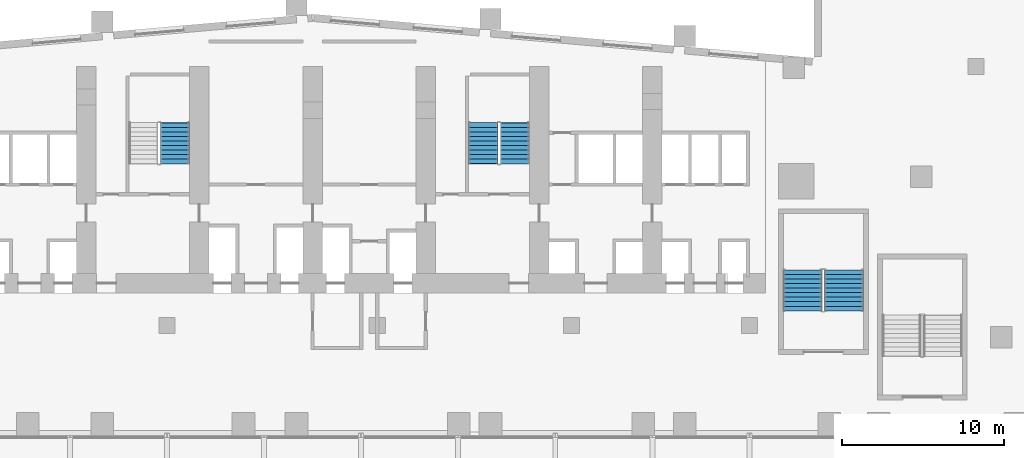
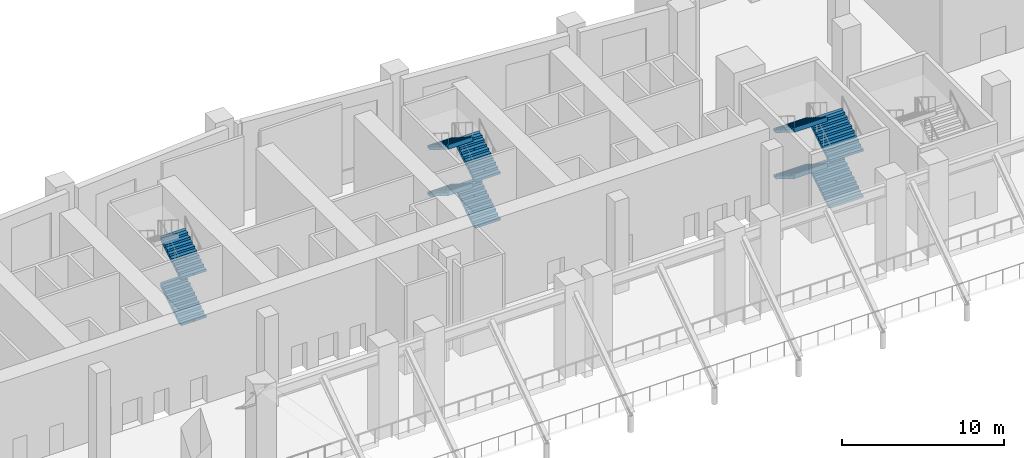
# One storey, part 30 of 41: 10 stair flights, 3 elements without a shape of their own.
"""IFC4 building model written with IfcOpenShell, lengths in metres."""

from ifc_helpers import new_model, si_unit, direction, frame, origin, place, context, subcontext, project, spatial, polyline, outline, extrude, material, type_object, element, aggregate, save


model = new_model("IFC4")

# Units and contexts
model_context = context("Model", 3, precision=1e-05, world=origin(), true_north=direction((0.0, 1.0)))
body_context = subcontext(model_context, "Body", "Model", "MODEL_VIEW")
ifc_project = project(units=[si_unit("LENGTHUNIT", "METRE"), si_unit("AREAUNIT", "SQUARE_METRE"), si_unit("VOLUMEUNIT", "CUBIC_METRE"), si_unit("PLANEANGLEUNIT", "RADIAN"), si_unit("MASSUNIT", "GRAM", prefix="KILO")], contexts=[model_context])

# Site, building, storey
site_placement = place(None, origin())
site = spatial("IfcSite", under=ifc_project, at=site_placement, CompositionType="ELEMENT")
building_placement = place(site_placement, origin())
building = spatial("IfcBuilding", under=site, at=building_placement, Name="Wharfspan Tower", CompositionType="ELEMENT")
storey_placement = place(building_placement, frame((0.0, 0.0, 8.0)))
storey = spatial("IfcBuildingStorey", under=building, at=storey_placement, Name="L01", CompositionType="ELEMENT", Elevation=8.0)

# Stair, stair flights
ifc_material = material(Name="Concrete C40/50", Category="concrete")
stair_type_1 = type_object("IfcStairType", Name="Half-turn stair 2400 wide 40 risers 175 mm", PredefinedType="HALF_TURN_STAIR", material=ifc_material)
stair_1_placement = place(storey_placement, origin())
stair_1 = element("IfcStair", 1, at=stair_1_placement, inside=storey, type_object=stair_type_1, Name="L01 stair PS4", PredefinedType="HALF_TURN_STAIR")
stair_flight_type_1 = type_object("IfcStairFlightType", Name="Stair flight 2400 wide 40 risers 175 mm", PredefinedType="STRAIGHT", material=ifc_material)
stair_flight_1_placement = place(storey_placement, frame((69.850098, 32.899902, 0.0), z_axis=(0.0, 0.0, 1.0), x_axis=(0.0, 1.0, 0.0)))
stair_flight_1 = element("IfcStairFlight", 2, at=stair_flight_1_placement, type_object=stair_flight_type_1, Name="PS4 flight 1", NumberOfRisers=10, NumberOfTreads=9, PredefinedType="STRAIGHT", RiserHeight=0.175, TreadLength=0.28, context=body_context, shape_type="SweptSolid", body=[
    extrude(outline(polyline([(-0.011963, 0.0), (-0.011963, 0.175049), (0.0, 0.175049), (0.280029, 0.175049), (0.280029, 0.350098), (0.560059, 0.350098), (0.560059, 0.524902), (0.840088, 0.524902), (0.840088, 0.699951), (1.120117, 0.699951), (1.120117, 0.875), (1.399902, 0.875), (1.399902, 1.050049), (1.679932, 1.050049), (1.679932, 1.225098), (1.959961, 1.225098), (1.959961, 1.399902), (2.23999, 1.399902), (2.23999, 1.574951), (2.52002, 1.574951), (2.531982, 1.75), (2.531982, 1.398193), (0.282715, 0.0), (-0.011963, 0.0)])), frame((0.0, 1.199951, 0.0), z_axis=(0.0, -1.0, 0.0), x_axis=(1.0, 0.0, 0.0)), (0.0, 0.0, 1.0), 1.199463),
    extrude(outline(polyline([(-0.011963, 0.0), (-0.011963, 0.175049), (0.0, 0.175049), (0.280029, 0.175049), (0.280029, 0.350098), (0.560059, 0.350098), (0.560059, 0.524902), (0.840088, 0.524902), (0.840088, 0.699951), (1.120117, 0.699951), (1.120117, 0.875), (1.399902, 0.875), (1.399902, 1.050049), (1.679932, 1.050049), (1.679932, 1.225098), (1.959961, 1.225098), (1.959961, 1.399902), (2.23999, 1.399902), (2.23999, 1.574951), (2.52002, 1.574951), (2.531982, 1.75), (2.531982, 1.398193), (0.282715, 0.0), (-0.011963, 0.0)])), frame((0.0, -0.000488, 0.0), z_axis=(0.0, -1.0, 0.0), x_axis=(1.0, 0.0, 0.0)), (0.0, 0.0, 1.0), 1.199463),
])
stair_flight_2_placement = place(storey_placement, frame((67.300049, 35.419922, 1.75), z_axis=(0.0, 0.0, 1.0), x_axis=(0.0, -1.0, 0.0)))
stair_flight_2 = element("IfcStairFlight", 3, at=stair_flight_2_placement, type_object=stair_flight_type_1, Name="PS4 flight 2", NumberOfRisers=10, NumberOfTreads=9, PredefinedType="STRAIGHT", RiserHeight=0.175, TreadLength=0.28, context=body_context, shape_type="SweptSolid", body=[
    extrude(outline(polyline([(-0.011963, 0.0), (-0.011963, 0.175049), (0.0, 0.175049), (0.280029, 0.175049), (0.280029, 0.350098), (0.560059, 0.350098), (0.560059, 0.524902), (0.840088, 0.524902), (0.840088, 0.699951), (1.120117, 0.699951), (1.120117, 0.875), (1.399902, 0.875), (1.399902, 1.050049), (1.679932, 1.050049), (1.679932, 1.225098), (1.959961, 1.225098), (1.959961, 1.399902), (2.23999, 1.399902), (2.23999, 1.574951), (2.52002, 1.574951), (2.531982, 1.75), (2.531982, 1.398193), (0.282715, 0.0), (-0.011963, 0.0)])), frame((0.0, 1.199951, 0.0), z_axis=(0.0, -1.0, 0.0), x_axis=(1.0, 0.0, 0.0)), (0.0, 0.0, 1.0), 1.199463),
    extrude(outline(polyline([(-0.011963, 0.0), (-0.011963, 0.175049), (0.0, 0.175049), (0.280029, 0.175049), (0.280029, 0.350098), (0.560059, 0.350098), (0.560059, 0.524902), (0.840088, 0.524902), (0.840088, 0.699951), (1.120117, 0.699951), (1.120117, 0.875), (1.399902, 0.875), (1.399902, 1.050049), (1.679932, 1.050049), (1.679932, 1.225098), (1.959961, 1.225098), (1.959961, 1.399902), (2.23999, 1.399902), (2.23999, 1.574951), (2.52002, 1.574951), (2.531982, 1.75), (2.531982, 1.398193), (0.282715, 0.0), (-0.011963, 0.0)])), frame((0.0, -0.000488, 0.0), z_axis=(0.0, -1.0, 0.0), x_axis=(1.0, 0.0, 0.0)), (0.0, 0.0, 1.0), 1.199463),
])
stair_flight_3_placement = place(storey_placement, frame((69.850098, 32.899902, 3.5), z_axis=(0.0, 0.0, 1.0), x_axis=(0.0, 1.0, 0.0)))
stair_flight_3 = element("IfcStairFlight", 4, at=stair_flight_3_placement, type_object=stair_flight_type_1, Name="PS4 flight 3", NumberOfRisers=10, NumberOfTreads=9, PredefinedType="STRAIGHT", RiserHeight=0.175, TreadLength=0.28, context=body_context, shape_type="SweptSolid", body=[
    extrude(outline(polyline([(-0.011963, 0.0), (-0.011963, 0.175049), (0.0, 0.175049), (0.280029, 0.175049), (0.280029, 0.350098), (0.560059, 0.350098), (0.560059, 0.524902), (0.840088, 0.524902), (0.840088, 0.699951), (1.120117, 0.699951), (1.120117, 0.875), (1.399902, 0.875), (1.399902, 1.050049), (1.679932, 1.050049), (1.679932, 1.225098), (1.959961, 1.225098), (1.959961, 1.399902), (2.23999, 1.399902), (2.23999, 1.574951), (2.52002, 1.574951), (2.531982, 1.75), (2.531982, 1.398193), (0.282715, 0.0), (-0.011963, 0.0)])), frame((0.0, 1.199951, 0.0), z_axis=(0.0, -1.0, 0.0), x_axis=(1.0, 0.0, 0.0)), (0.0, 0.0, 1.0), 1.199463),
    extrude(outline(polyline([(-0.011963, 0.0), (-0.011963, 0.175049), (0.0, 0.175049), (0.280029, 0.175049), (0.280029, 0.350098), (0.560059, 0.350098), (0.560059, 0.524902), (0.840088, 0.524902), (0.840088, 0.699951), (1.120117, 0.699951), (1.120117, 0.875), (1.399902, 0.875), (1.399902, 1.050049), (1.679932, 1.050049), (1.679932, 1.225098), (1.959961, 1.225098), (1.959961, 1.399902), (2.23999, 1.399902), (2.23999, 1.574951), (2.52002, 1.574951), (2.531982, 1.75), (2.531982, 1.398193), (0.282715, 0.0), (-0.011963, 0.0)])), frame((0.0, -0.000488, 0.0), z_axis=(0.0, -1.0, 0.0), x_axis=(1.0, 0.0, 0.0)), (0.0, 0.0, 1.0), 1.199463),
])
stair_flight_4_placement = place(storey_placement, frame((67.300049, 35.419922, 5.25), z_axis=(0.0, 0.0, 1.0), x_axis=(0.0, -1.0, 0.0)))
stair_flight_4 = element("IfcStairFlight", 5, at=stair_flight_4_placement, type_object=stair_flight_type_1, Name="PS4 flight 4", NumberOfRisers=10, NumberOfTreads=9, PredefinedType="STRAIGHT", RiserHeight=0.175, TreadLength=0.28, context=body_context, shape_type="SweptSolid", body=[
    extrude(outline(polyline([(-0.011963, 0.0), (-0.011963, 0.175049), (0.0, 0.175049), (0.280029, 0.175049), (0.280029, 0.350098), (0.560059, 0.350098), (0.560059, 0.524902), (0.840088, 0.524902), (0.840088, 0.699951), (1.120117, 0.699951), (1.120117, 0.875), (1.399902, 0.875), (1.399902, 1.050049), (1.679932, 1.050049), (1.679932, 1.225098), (1.959961, 1.225098), (1.959961, 1.399902), (2.23999, 1.399902), (2.23999, 1.574951), (2.52002, 1.574951), (2.531982, 1.75), (2.531982, 1.398193), (0.282715, 0.0), (-0.011963, 0.0)])), frame((0.0, 1.199951, 0.0), z_axis=(0.0, -1.0, 0.0), x_axis=(1.0, 0.0, 0.0)), (0.0, 0.0, 1.0), 1.199463),
    extrude(outline(polyline([(-0.011963, 0.0), (-0.011963, 0.175049), (0.0, 0.175049), (0.280029, 0.175049), (0.280029, 0.350098), (0.560059, 0.350098), (0.560059, 0.524902), (0.840088, 0.524902), (0.840088, 0.699951), (1.120117, 0.699951), (1.120117, 0.875), (1.399902, 0.875), (1.399902, 1.050049), (1.679932, 1.050049), (1.679932, 1.225098), (1.959961, 1.225098), (1.959961, 1.399902), (2.23999, 1.399902), (2.23999, 1.574951), (2.52002, 1.574951), (2.531982, 1.75), (2.531982, 1.398193), (0.282715, 0.0), (-0.011963, 0.0)])), frame((0.0, -0.000488, 0.0), z_axis=(0.0, -1.0, 0.0), x_axis=(1.0, 0.0, 0.0)), (0.0, 0.0, 1.0), 1.199463),
])
aggregate(stair_1, [stair_flight_1, stair_flight_2, stair_flight_3, stair_flight_4])

stair_type_2 = type_object("IfcStairType", Name="Half-turn stair 40 risers 175 mm", PredefinedType="HALF_TURN_STAIR", material=ifc_material)
stair_2_placement = place(storey_placement, origin())
stair_2 = element("IfcStair", 6, at=stair_2_placement, inside=storey, type_object=stair_type_2, Name="L01 stair ST1", PredefinedType="HALF_TURN_STAIR")
stair_flight_type_2 = type_object("IfcStairFlightType", Name="Stair flight 40 risers 175 mm", PredefinedType="STRAIGHT", material=ifc_material)
stair_flight_5_placement = place(storey_placement, frame((28.5, 42.0, 0.0), z_axis=(0.0, 0.0, 1.0), x_axis=(0.0, 1.0, 0.0)))
stair_flight_5 = element("IfcStairFlight", 7, at=stair_flight_5_placement, type_object=stair_flight_type_2, Name="ST1 flight 1", NumberOfRisers=10, NumberOfTreads=9, PredefinedType="STRAIGHT", RiserHeight=0.175, TreadLength=0.28, context=body_context, shape_type="SweptSolid", body=[
    extrude(outline(polyline([(-0.011963, 0.0), (-0.011963, 0.175049), (0.0, 0.175049), (0.280029, 0.175049), (0.280029, 0.350098), (0.560059, 0.350098), (0.560059, 0.524902), (0.840088, 0.524902), (0.840088, 0.699951), (1.120117, 0.699951), (1.120117, 0.875), (1.399902, 0.875), (1.399902, 1.050049), (1.679932, 1.050049), (1.679932, 1.225098), (1.959961, 1.225098), (1.959961, 1.399902), (2.23999, 1.399902), (2.23999, 1.574951), (2.52002, 1.574951), (2.531982, 1.75), (2.531982, 1.398193), (0.282715, 0.0), (-0.011963, 0.0)])), frame((0.0, 0.899902, 0.0), z_axis=(0.0, -1.0, 0.0), x_axis=(1.0, 0.0, 0.0)), (0.0, 0.0, 1.0), 0.899414),
    extrude(outline(polyline([(-0.011963, 0.0), (-0.011963, 0.175049), (0.0, 0.175049), (0.280029, 0.175049), (0.280029, 0.350098), (0.560059, 0.350098), (0.560059, 0.524902), (0.840088, 0.524902), (0.840088, 0.699951), (1.120117, 0.699951), (1.120117, 0.875), (1.399902, 0.875), (1.399902, 1.050049), (1.679932, 1.050049), (1.679932, 1.225098), (1.959961, 1.225098), (1.959961, 1.399902), (2.23999, 1.399902), (2.23999, 1.574951), (2.52002, 1.574951), (2.531982, 1.75), (2.531982, 1.398193), (0.282715, 0.0), (-0.011963, 0.0)])), frame((0.0, -0.000488, 0.0), z_axis=(0.0, -1.0, 0.0), x_axis=(1.0, 0.0, 0.0)), (0.0, 0.0, 1.0), 0.899414),
])
stair_flight_6_placement = place(storey_placement, frame((28.5, 42.0, 3.5), z_axis=(0.0, 0.0, 1.0), x_axis=(0.0, 1.0, 0.0)))
stair_flight_6 = element("IfcStairFlight", 8, at=stair_flight_6_placement, type_object=stair_flight_type_2, Name="ST1 flight 3", NumberOfRisers=10, NumberOfTreads=9, PredefinedType="STRAIGHT", RiserHeight=0.175, TreadLength=0.28, context=body_context, shape_type="SweptSolid", body=[
    extrude(outline(polyline([(-0.011963, 0.0), (-0.011963, 0.175049), (0.0, 0.175049), (0.280029, 0.175049), (0.280029, 0.350098), (0.560059, 0.350098), (0.560059, 0.524902), (0.840088, 0.524902), (0.840088, 0.699951), (1.120117, 0.699951), (1.120117, 0.875), (1.399902, 0.875), (1.399902, 1.050049), (1.679932, 1.050049), (1.679932, 1.225098), (1.959961, 1.225098), (1.959961, 1.399902), (2.23999, 1.399902), (2.23999, 1.574951), (2.52002, 1.574951), (2.531982, 1.75), (2.531982, 1.398193), (0.282715, 0.0), (-0.011963, 0.0)])), frame((0.0, 0.899902, 0.0), z_axis=(0.0, -1.0, 0.0), x_axis=(1.0, 0.0, 0.0)), (0.0, 0.0, 1.0), 0.899414),
    extrude(outline(polyline([(-0.011963, 0.0), (-0.011963, 0.175049), (0.0, 0.175049), (0.280029, 0.175049), (0.280029, 0.350098), (0.560059, 0.350098), (0.560059, 0.524902), (0.840088, 0.524902), (0.840088, 0.699951), (1.120117, 0.699951), (1.120117, 0.875), (1.399902, 0.875), (1.399902, 1.050049), (1.679932, 1.050049), (1.679932, 1.225098), (1.959961, 1.225098), (1.959961, 1.399902), (2.23999, 1.399902), (2.23999, 1.574951), (2.52002, 1.574951), (2.531982, 1.75), (2.531982, 1.398193), (0.282715, 0.0), (-0.011963, 0.0)])), frame((0.0, -0.000488, 0.0), z_axis=(0.0, -1.0, 0.0), x_axis=(1.0, 0.0, 0.0)), (0.0, 0.0, 1.0), 0.899414),
])
aggregate(stair_2, [stair_flight_5, stair_flight_6])

stair_3_placement = place(storey_placement, origin())
stair_3 = element("IfcStair", 9, at=stair_3_placement, inside=storey, type_object=stair_type_2, Name="L01 stair ST2", PredefinedType="HALF_TURN_STAIR")
stair_flight_7_placement = place(storey_placement, frame((49.5, 42.0, 0.0), z_axis=(0.0, 0.0, 1.0), x_axis=(0.0, 1.0, 0.0)))
stair_flight_7 = element("IfcStairFlight", 10, at=stair_flight_7_placement, type_object=stair_flight_type_2, Name="ST2 flight 1", NumberOfRisers=10, NumberOfTreads=9, PredefinedType="STRAIGHT", RiserHeight=0.175, TreadLength=0.28, context=body_context, shape_type="SweptSolid", body=[
    extrude(outline(polyline([(-0.011963, 0.0), (-0.011963, 0.175049), (0.0, 0.175049), (0.280029, 0.175049), (0.280029, 0.350098), (0.560059, 0.350098), (0.560059, 0.524902), (0.840088, 0.524902), (0.840088, 0.699951), (1.120117, 0.699951), (1.120117, 0.875), (1.399902, 0.875), (1.399902, 1.050049), (1.679932, 1.050049), (1.679932, 1.225098), (1.959961, 1.225098), (1.959961, 1.399902), (2.23999, 1.399902), (2.23999, 1.574951), (2.52002, 1.574951), (2.531982, 1.75), (2.531982, 1.398193), (0.282715, 0.0), (-0.011963, 0.0)])), frame((0.0, 0.899902, 0.0), z_axis=(0.0, -1.0, 0.0), x_axis=(1.0, 0.0, 0.0)), (0.0, 0.0, 1.0), 0.899414),
    extrude(outline(polyline([(-0.011963, 0.0), (-0.011963, 0.175049), (0.0, 0.175049), (0.280029, 0.175049), (0.280029, 0.350098), (0.560059, 0.350098), (0.560059, 0.524902), (0.840088, 0.524902), (0.840088, 0.699951), (1.120117, 0.699951), (1.120117, 0.875), (1.399902, 0.875), (1.399902, 1.050049), (1.679932, 1.050049), (1.679932, 1.225098), (1.959961, 1.225098), (1.959961, 1.399902), (2.23999, 1.399902), (2.23999, 1.574951), (2.52002, 1.574951), (2.531982, 1.75), (2.531982, 1.398193), (0.282715, 0.0), (-0.011963, 0.0)])), frame((0.0, -0.000488, 0.0), z_axis=(0.0, -1.0, 0.0), x_axis=(1.0, 0.0, 0.0)), (0.0, 0.0, 1.0), 0.899414),
])
stair_flight_8_placement = place(storey_placement, frame((47.550049, 44.52002, 1.75), z_axis=(0.0, 0.0, 1.0), x_axis=(0.0, -1.0, 0.0)))
stair_flight_8 = element("IfcStairFlight", 11, at=stair_flight_8_placement, type_object=stair_flight_type_2, Name="ST2 flight 2", NumberOfRisers=10, NumberOfTreads=9, PredefinedType="STRAIGHT", RiserHeight=0.175, TreadLength=0.28, context=body_context, shape_type="SweptSolid", body=[
    extrude(outline(polyline([(-0.011963, 0.0), (-0.011963, 0.175049), (0.0, 0.175049), (0.280029, 0.175049), (0.280029, 0.350098), (0.560059, 0.350098), (0.560059, 0.524902), (0.840088, 0.524902), (0.840088, 0.699951), (1.120117, 0.699951), (1.120117, 0.875), (1.399902, 0.875), (1.399902, 1.050049), (1.679932, 1.050049), (1.679932, 1.225098), (1.959961, 1.225098), (1.959961, 1.399902), (2.23999, 1.399902), (2.23999, 1.574951), (2.52002, 1.574951), (2.531982, 1.75), (2.531982, 1.398193), (0.282715, 0.0), (-0.011963, 0.0)])), frame((0.0, 0.899902, 0.0), z_axis=(0.0, -1.0, 0.0), x_axis=(1.0, 0.0, 0.0)), (0.0, 0.0, 1.0), 0.899414),
    extrude(outline(polyline([(-0.011963, 0.0), (-0.011963, 0.175049), (0.0, 0.175049), (0.280029, 0.175049), (0.280029, 0.350098), (0.560059, 0.350098), (0.560059, 0.524902), (0.840088, 0.524902), (0.840088, 0.699951), (1.120117, 0.699951), (1.120117, 0.875), (1.399902, 0.875), (1.399902, 1.050049), (1.679932, 1.050049), (1.679932, 1.225098), (1.959961, 1.225098), (1.959961, 1.399902), (2.23999, 1.399902), (2.23999, 1.574951), (2.52002, 1.574951), (2.531982, 1.75), (2.531982, 1.398193), (0.282715, 0.0), (-0.011963, 0.0)])), frame((0.0, -0.000488, 0.0), z_axis=(0.0, -1.0, 0.0), x_axis=(1.0, 0.0, 0.0)), (0.0, 0.0, 1.0), 0.899414),
])
stair_flight_9_placement = place(storey_placement, frame((49.5, 42.0, 3.5), z_axis=(0.0, 0.0, 1.0), x_axis=(0.0, 1.0, 0.0)))
stair_flight_9 = element("IfcStairFlight", 12, at=stair_flight_9_placement, type_object=stair_flight_type_2, Name="ST2 flight 3", NumberOfRisers=10, NumberOfTreads=9, PredefinedType="STRAIGHT", RiserHeight=0.175, TreadLength=0.28, context=body_context, shape_type="SweptSolid", body=[
    extrude(outline(polyline([(-0.011963, 0.0), (-0.011963, 0.175049), (0.0, 0.175049), (0.280029, 0.175049), (0.280029, 0.350098), (0.560059, 0.350098), (0.560059, 0.524902), (0.840088, 0.524902), (0.840088, 0.699951), (1.120117, 0.699951), (1.120117, 0.875), (1.399902, 0.875), (1.399902, 1.050049), (1.679932, 1.050049), (1.679932, 1.225098), (1.959961, 1.225098), (1.959961, 1.399902), (2.23999, 1.399902), (2.23999, 1.574951), (2.52002, 1.574951), (2.531982, 1.75), (2.531982, 1.398193), (0.282715, 0.0), (-0.011963, 0.0)])), frame((0.0, 0.899902, 0.0), z_axis=(0.0, -1.0, 0.0), x_axis=(1.0, 0.0, 0.0)), (0.0, 0.0, 1.0), 0.899414),
    extrude(outline(polyline([(-0.011963, 0.0), (-0.011963, 0.175049), (0.0, 0.175049), (0.280029, 0.175049), (0.280029, 0.350098), (0.560059, 0.350098), (0.560059, 0.524902), (0.840088, 0.524902), (0.840088, 0.699951), (1.120117, 0.699951), (1.120117, 0.875), (1.399902, 0.875), (1.399902, 1.050049), (1.679932, 1.050049), (1.679932, 1.225098), (1.959961, 1.225098), (1.959961, 1.399902), (2.23999, 1.399902), (2.23999, 1.574951), (2.52002, 1.574951), (2.531982, 1.75), (2.531982, 1.398193), (0.282715, 0.0), (-0.011963, 0.0)])), frame((0.0, -0.000488, 0.0), z_axis=(0.0, -1.0, 0.0), x_axis=(1.0, 0.0, 0.0)), (0.0, 0.0, 1.0), 0.899414),
])
stair_flight_10_placement = place(storey_placement, frame((47.550049, 44.52002, 5.25), z_axis=(0.0, 0.0, 1.0), x_axis=(0.0, -1.0, 0.0)))
stair_flight_10 = element("IfcStairFlight", 13, at=stair_flight_10_placement, type_object=stair_flight_type_2, Name="ST2 flight 4", NumberOfRisers=10, NumberOfTreads=9, PredefinedType="STRAIGHT", RiserHeight=0.175, TreadLength=0.28, context=body_context, shape_type="SweptSolid", body=[
    extrude(outline(polyline([(-0.011963, 0.0), (-0.011963, 0.175049), (0.0, 0.175049), (0.280029, 0.175049), (0.280029, 0.350098), (0.560059, 0.350098), (0.560059, 0.524902), (0.840088, 0.524902), (0.840088, 0.699951), (1.120117, 0.699951), (1.120117, 0.875), (1.399902, 0.875), (1.399902, 1.050049), (1.679932, 1.050049), (1.679932, 1.225098), (1.959961, 1.225098), (1.959961, 1.399902), (2.23999, 1.399902), (2.23999, 1.574951), (2.52002, 1.574951), (2.531982, 1.75), (2.531982, 1.398193), (0.282715, 0.0), (-0.011963, 0.0)])), frame((0.0, 0.899902, 0.0), z_axis=(0.0, -1.0, 0.0), x_axis=(1.0, 0.0, 0.0)), (0.0, 0.0, 1.0), 0.899414),
    extrude(outline(polyline([(-0.011963, 0.0), (-0.011963, 0.175049), (0.0, 0.175049), (0.280029, 0.175049), (0.280029, 0.350098), (0.560059, 0.350098), (0.560059, 0.524902), (0.840088, 0.524902), (0.840088, 0.699951), (1.120117, 0.699951), (1.120117, 0.875), (1.399902, 0.875), (1.399902, 1.050049), (1.679932, 1.050049), (1.679932, 1.225098), (1.959961, 1.225098), (1.959961, 1.399902), (2.23999, 1.399902), (2.23999, 1.574951), (2.52002, 1.574951), (2.531982, 1.75), (2.531982, 1.398193), (0.282715, 0.0), (-0.011963, 0.0)])), frame((0.0, -0.000488, 0.0), z_axis=(0.0, -1.0, 0.0), x_axis=(1.0, 0.0, 0.0)), (0.0, 0.0, 1.0), 0.899414),
])
aggregate(stair_3, [stair_flight_7, stair_flight_8, stair_flight_9, stair_flight_10])

save(model, "model.ifc")
